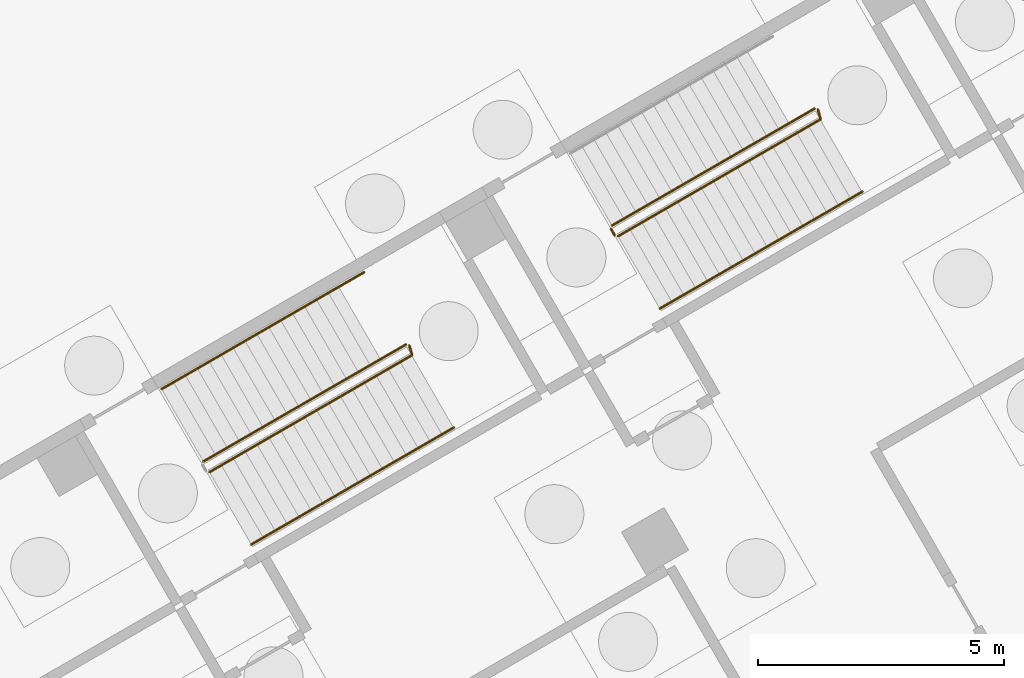
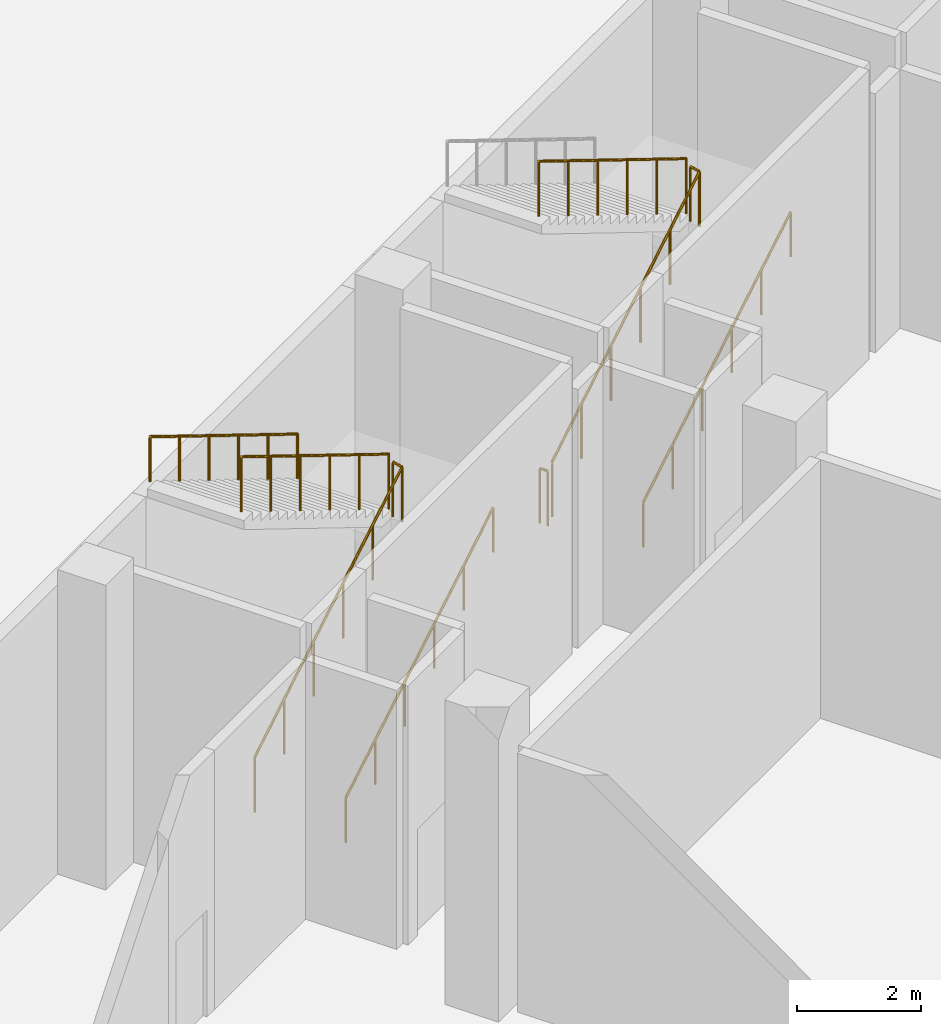
# One storey, part 34 of 38: 8 railings.
"""IFC4 building model written with IfcOpenShell, lengths in metres."""

from ifc_helpers import new_model, si_unit, direction, frame, origin, origin_2d, place, context, subcontext, project, spatial, circle, extrude, material, type_object, element, save


model = new_model("IFC4")

# Units and contexts
model_context = context("Model", 3, precision=1e-05, world=origin(), true_north=direction((0.0, 1.0)))
body_context = subcontext(model_context, "Body", "Model", "MODEL_VIEW")
ifc_project = project(units=[si_unit("LENGTHUNIT", "METRE"), si_unit("AREAUNIT", "SQUARE_METRE"), si_unit("VOLUMEUNIT", "CUBIC_METRE"), si_unit("PLANEANGLEUNIT", "RADIAN"), si_unit("MASSUNIT", "GRAM", prefix="KILO")], contexts=[model_context])

# Site, building, storey
site_placement = place(None, origin())
site = spatial("IfcSite", under=ifc_project, at=site_placement, CompositionType="ELEMENT")
building_placement = place(site_placement, origin())
building = spatial("IfcBuilding", under=site, at=building_placement, Name="Mestral Congress Tower", CompositionType="ELEMENT")
storey_placement = place(building_placement, origin())
storey = spatial("IfcBuildingStorey", under=building, at=storey_placement, Name="L00", CompositionType="ELEMENT", Elevation=0.0)

# Railings
ifc_material_1 = material(Name="Steel balustrade", Category="steel")
railing_type_1 = type_object("IfcRailingType", Name="Podium stair guard 1100", PredefinedType="GUARDRAIL", material=ifc_material_1)
railing_1_placement = place(storey_placement, frame((14.014892578125, 51.681396484375, 0.166748046875)))
element("IfcRailing", 1, at=railing_1_placement, inside=storey, type_object=railing_type_1, Name="L00 PS-E4 stair guard 1", PredefinedType="GUARDRAIL", context=body_context, shape_type="SweptSolid", body=[
    extrude(circle(Radius=0.02392578125, at=origin_2d()), frame((0.0, 0.0, 1.076171875), z_axis=(0.744170432188, 0.42966642247, 0.511465671634), x_axis=(-0.5000169524, 0.866015616091, 0.0)), (0.0, 0.0, 1.0), 5.53955078125),
    extrude(circle(Radius=0.02392578125, at=origin_2d()), frame((4.122314453125, 2.380126953125, 3.9091796875), z_axis=(-0.274721127897, 0.961523947641, 0.0), x_axis=(-0.961523947641, -0.274721127897, 0.0)), (0.0, 0.0, 1.0), 0.2060546875),
    extrude(circle(Radius=0.02099609375, at=origin_2d()), origin(), (0.0, 0.0, 1.0), 1.052001953125),
    extrude(circle(Radius=0.02099609375, at=origin_2d()), frame((0.824462890625, 0.47607421875, 0.566650390625)), (0.0, 0.0, 1.0), 1.052001953125),
    extrude(circle(Radius=0.02099609375, at=origin_2d()), frame((1.64892578125, 0.9521484375, 1.13330078125)), (0.0, 0.0, 1.0), 1.052001953125),
    extrude(circle(Radius=0.02099609375, at=origin_2d()), frame((2.473388671875, 1.427978515625, 1.699951171875)), (0.0, 0.0, 1.0), 1.052001953125),
    extrude(circle(Radius=0.02099609375, at=origin_2d()), frame((3.2978515625, 1.904052734375, 2.2666015625)), (0.0, 0.0, 1.0), 1.052001953125),
    extrude(circle(Radius=0.02099609375, at=origin_2d()), frame((4.122314453125, 2.380126953125, 2.833251953125)), (0.0, 0.0, 1.0), 1.052001953125),
    extrude(circle(Radius=0.02099609375, at=origin_2d()), frame((4.065673828125, 2.578369140625, 2.833251953125)), (0.0, 0.0, 1.0), 1.052001953125),
])
railing_2_placement = place(storey_placement, frame((18.01220703125, 54.27783203125, 3.166748046875)))
element("IfcRailing", 2, at=railing_2_placement, inside=storey, type_object=railing_type_1, Name="L00 PS-E4 stair guard 2", PredefinedType="GUARDRAIL", context=body_context, shape_type="SweptSolid", body=[
    extrude(circle(Radius=0.02392578125, at=origin_2d()), frame((0.0, 0.0, 1.076171875), z_axis=(-0.744184523948, -0.429630485013, 0.51147535685), x_axis=(0.499978485002, -0.866037825118, 0.0)), (0.0, 0.0, 1.0), 5.539306640625),
    extrude(circle(Radius=0.02099609375, at=origin_2d()), origin(), (0.0, 0.0, 1.0), 1.052001953125),
    extrude(circle(Radius=0.02099609375, at=origin_2d()), frame((-0.824462890625, -0.47607421875, 0.566650390625)), (0.0, 0.0, 1.0), 1.052001953125),
    extrude(circle(Radius=0.02099609375, at=origin_2d()), frame((-1.64892578125, -0.951904296875, 1.13330078125)), (0.0, 0.0, 1.0), 1.052001953125),
    extrude(circle(Radius=0.02099609375, at=origin_2d()), frame((-2.473388671875, -1.427978515625, 1.699951171875)), (0.0, 0.0, 1.0), 1.052001953125),
    extrude(circle(Radius=0.02099609375, at=origin_2d()), frame((-3.2978515625, -1.90380859375, 2.2666015625)), (0.0, 0.0, 1.0), 1.052001953125),
    extrude(circle(Radius=0.02099609375, at=origin_2d()), frame((-4.122314453125, -2.3798828125, 2.833251953125)), (0.0, 0.0, 1.0), 1.052001953125),
])
railing_3_placement = place(storey_placement, frame((22.328857421875, 56.4814453125, 0.166748046875)))
element("IfcRailing", 3, at=railing_3_placement, inside=storey, type_object=railing_type_1, Name="L00 PS-E5 stair guard 1", PredefinedType="GUARDRAIL", context=body_context, shape_type="SweptSolid", body=[
    extrude(circle(Radius=0.02392578125, at=origin_2d()), frame((0.0, 0.0, 1.076171875), z_axis=(0.74416485776, 0.429644576726, 0.511492133043), x_axis=(-0.500000694566, 0.866025002776, 0.0)), (0.0, 0.0, 1.0), 5.539306640625),
    extrude(circle(Radius=0.02392578125, at=origin_2d()), frame((4.1220703125, 2.3798828125, 3.9091796875), z_axis=(-0.274721127897, 0.961523947641, 0.0), x_axis=(-0.961523947641, -0.274721127897, 0.0)), (0.0, 0.0, 1.0), 0.2060546875),
    extrude(circle(Radius=0.02099609375, at=origin_2d()), origin(), (0.0, 0.0, 1.0), 1.052001953125),
    extrude(circle(Radius=0.02099609375, at=origin_2d()), frame((0.824462890625, 0.47607421875, 0.566650390625)), (0.0, 0.0, 1.0), 1.052001953125),
    extrude(circle(Radius=0.02099609375, at=origin_2d()), frame((1.64892578125, 0.951904296875, 1.13330078125)), (0.0, 0.0, 1.0), 1.052001953125),
    extrude(circle(Radius=0.02099609375, at=origin_2d()), frame((2.47314453125, 1.427978515625, 1.699951171875)), (0.0, 0.0, 1.0), 1.052001953125),
    extrude(circle(Radius=0.02099609375, at=origin_2d()), frame((3.297607421875, 1.90380859375, 2.2666015625)), (0.0, 0.0, 1.0), 1.052001953125),
    extrude(circle(Radius=0.02099609375, at=origin_2d()), frame((4.1220703125, 2.3798828125, 2.833251953125)), (0.0, 0.0, 1.0), 1.052001953125),
    extrude(circle(Radius=0.02099609375, at=origin_2d()), frame((4.0654296875, 2.578125, 2.833251953125)), (0.0, 0.0, 1.0), 1.052001953125),
])
railing_4_placement = place(storey_placement, frame((26.325927734375, 59.077880859375, 3.166748046875)))
element("IfcRailing", 4, at=railing_4_placement, inside=storey, type_object=railing_type_1, Name="L00 PS-E5 stair guard 2", PredefinedType="GUARDRAIL", context=body_context, shape_type="SweptSolid", body=[
    extrude(circle(Radius=0.02392578125, at=origin_2d()), frame((0.0, 0.0, 1.076171875), z_axis=(-0.74416485776, -0.429644576726, 0.511492133043), x_axis=(0.500000694566, -0.866025002776, 0.0)), (0.0, 0.0, 1.0), 5.539306640625),
    extrude(circle(Radius=0.02099609375, at=origin_2d()), origin(), (0.0, 0.0, 1.0), 1.052001953125),
    extrude(circle(Radius=0.02099609375, at=origin_2d()), frame((-0.824462890625, -0.47607421875, 0.566650390625)), (0.0, 0.0, 1.0), 1.052001953125),
    extrude(circle(Radius=0.02099609375, at=origin_2d()), frame((-1.64892578125, -0.951904296875, 1.13330078125)), (0.0, 0.0, 1.0), 1.052001953125),
    extrude(circle(Radius=0.02099609375, at=origin_2d()), frame((-2.47314453125, -1.427978515625, 1.699951171875)), (0.0, 0.0, 1.0), 1.052001953125),
    extrude(circle(Radius=0.02099609375, at=origin_2d()), frame((-3.297607421875, -1.90380859375, 2.2666015625)), (0.0, 0.0, 1.0), 1.052001953125),
    extrude(circle(Radius=0.02099609375, at=origin_2d()), frame((-4.1220703125, -2.3798828125, 2.833251953125)), (0.0, 0.0, 1.0), 1.052001953125),
])
railing_5_placement = place(storey_placement, frame((22.260498046875, 56.499755859375, 0.0)))
element("IfcRailing", 5, at=railing_5_placement, inside=storey, type_object=railing_type_1, Name="L00 PS-E5 stair guard 3", PredefinedType="GUARDRAIL", context=body_context, shape_type="SweptSolid", body=[
    extrude(circle(Radius=0.02392578125, at=origin_2d()), frame((0.0, 0.0, 1.076171875), z_axis=(-0.499816412211, 0.866131372301, 0.0), x_axis=(-0.866131372301, -0.499816412211, 0.0)), (0.0, 0.0, 1.0), 0.14990234375),
    extrude(circle(Radius=0.02099609375, at=origin_2d()), origin(), (0.0, 0.0, 1.0), 1.052001953125),
    extrude(circle(Radius=0.02099609375, at=origin_2d()), frame((-0.074951171875, 0.1298828125, 0.0)), (0.0, 0.0, 1.0), 1.052001953125),
])
ifc_material_2 = material(Name="Steel handrail", Category="steel")
railing_type_2 = type_object("IfcRailingType", Name="Podium stair handrail 900", PredefinedType="HANDRAIL", material=ifc_material_2)
railing_6_placement = place(storey_placement, frame((14.864990234375, 50.209228515625, 0.166748046875)))
element("IfcRailing", 6, at=railing_6_placement, inside=storey, type_object=railing_type_2, Name="L00 PS-E4 stair handrail 1", PredefinedType="HANDRAIL", context=body_context, shape_type="SweptSolid", body=[
    extrude(circle(Radius=0.02392578125, at=origin_2d()), frame((0.0, 0.0, 0.8759765625), z_axis=(0.744184523948, 0.429630485013, 0.51147535685), x_axis=(-0.499978485002, 0.866037825118, 0.0)), (0.0, 0.0, 1.0), 5.539306640625),
    extrude(circle(Radius=0.02099609375, at=origin_2d()), origin(), (0.0, 0.0, 1.0), 0.851806640625),
    extrude(circle(Radius=0.02099609375, at=origin_2d()), frame((0.824462890625, 0.47607421875, 0.566650390625)), (0.0, 0.0, 1.0), 0.851806640625),
    extrude(circle(Radius=0.02099609375, at=origin_2d()), frame((1.64892578125, 0.951904296875, 1.13330078125)), (0.0, 0.0, 1.0), 0.851806640625),
    extrude(circle(Radius=0.02099609375, at=origin_2d()), frame((2.473388671875, 1.427978515625, 1.699951171875)), (0.0, 0.0, 1.0), 0.851806640625),
    extrude(circle(Radius=0.02099609375, at=origin_2d()), frame((3.2978515625, 1.90380859375, 2.2666015625)), (0.0, 0.0, 1.0), 0.851806640625),
    extrude(circle(Radius=0.02099609375, at=origin_2d()), frame((4.122314453125, 2.3798828125, 2.833251953125)), (0.0, 0.0, 1.0), 0.851806640625),
])
railing_7_placement = place(storey_placement, frame((17.162109375, 55.750244140625, 3.166748046875)))
element("IfcRailing", 7, at=railing_7_placement, inside=storey, type_object=railing_type_2, Name="L00 PS-E4 stair handrail 2", PredefinedType="HANDRAIL", context=body_context, shape_type="SweptSolid", body=[
    extrude(circle(Radius=0.02392578125, at=origin_2d()), frame((0.0, 0.0, 0.8759765625), z_axis=(-0.744150765448, -0.429680514828, 0.511482446874), x_axis=(0.500039162534, -0.866002792104, 0.0)), (0.0, 0.0, 1.0), 5.539306640625),
    extrude(circle(Radius=0.02099609375, at=origin_2d()), origin(), (0.0, 0.0, 1.0), 0.851806640625),
    extrude(circle(Radius=0.02099609375, at=origin_2d()), frame((-0.824462890625, -0.47607421875, 0.566650390625)), (0.0, 0.0, 1.0), 0.851806640625),
    extrude(circle(Radius=0.02099609375, at=origin_2d()), frame((-1.64892578125, -0.9521484375, 1.13330078125)), (0.0, 0.0, 1.0), 0.851806640625),
    extrude(circle(Radius=0.02099609375, at=origin_2d()), frame((-2.47314453125, -1.427978515625, 1.699951171875)), (0.0, 0.0, 1.0), 0.851806640625),
    extrude(circle(Radius=0.02099609375, at=origin_2d()), frame((-3.297607421875, -1.904052734375, 2.2666015625)), (0.0, 0.0, 1.0), 0.851806640625),
    extrude(circle(Radius=0.02099609375, at=origin_2d()), frame((-4.1220703125, -2.380126953125, 2.833251953125)), (0.0, 0.0, 1.0), 0.851806640625),
])
railing_8_placement = place(storey_placement, frame((23.1787109375, 55.00927734375, 0.166748046875)))
element("IfcRailing", 8, at=railing_8_placement, inside=storey, type_object=railing_type_2, Name="L00 PS-E5 stair handrail 1", PredefinedType="HANDRAIL", context=body_context, shape_type="SweptSolid", body=[
    extrude(circle(Radius=0.02392578125, at=origin_2d()), frame((0.0, 0.0, 0.8759765625), z_axis=(0.744184523948, 0.429630485013, 0.51147535685), x_axis=(-0.499978485002, 0.866037825118, 0.0)), (0.0, 0.0, 1.0), 5.539306640625),
    extrude(circle(Radius=0.02099609375, at=origin_2d()), origin(), (0.0, 0.0, 1.0), 0.851806640625),
    extrude(circle(Radius=0.02099609375, at=origin_2d()), frame((0.824462890625, 0.47607421875, 0.566650390625)), (0.0, 0.0, 1.0), 0.851806640625),
    extrude(circle(Radius=0.02099609375, at=origin_2d()), frame((1.64892578125, 0.951904296875, 1.13330078125)), (0.0, 0.0, 1.0), 0.851806640625),
    extrude(circle(Radius=0.02099609375, at=origin_2d()), frame((2.473388671875, 1.427978515625, 1.699951171875)), (0.0, 0.0, 1.0), 0.851806640625),
    extrude(circle(Radius=0.02099609375, at=origin_2d()), frame((3.2978515625, 1.90380859375, 2.2666015625)), (0.0, 0.0, 1.0), 0.851806640625),
    extrude(circle(Radius=0.02099609375, at=origin_2d()), frame((4.122314453125, 2.3798828125, 2.833251953125)), (0.0, 0.0, 1.0), 0.851806640625),
])

save(model, "model.ifc")
